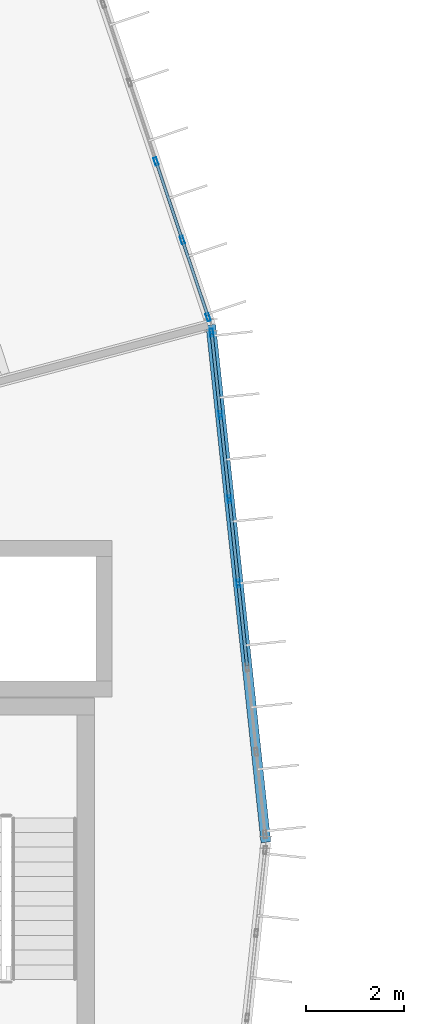
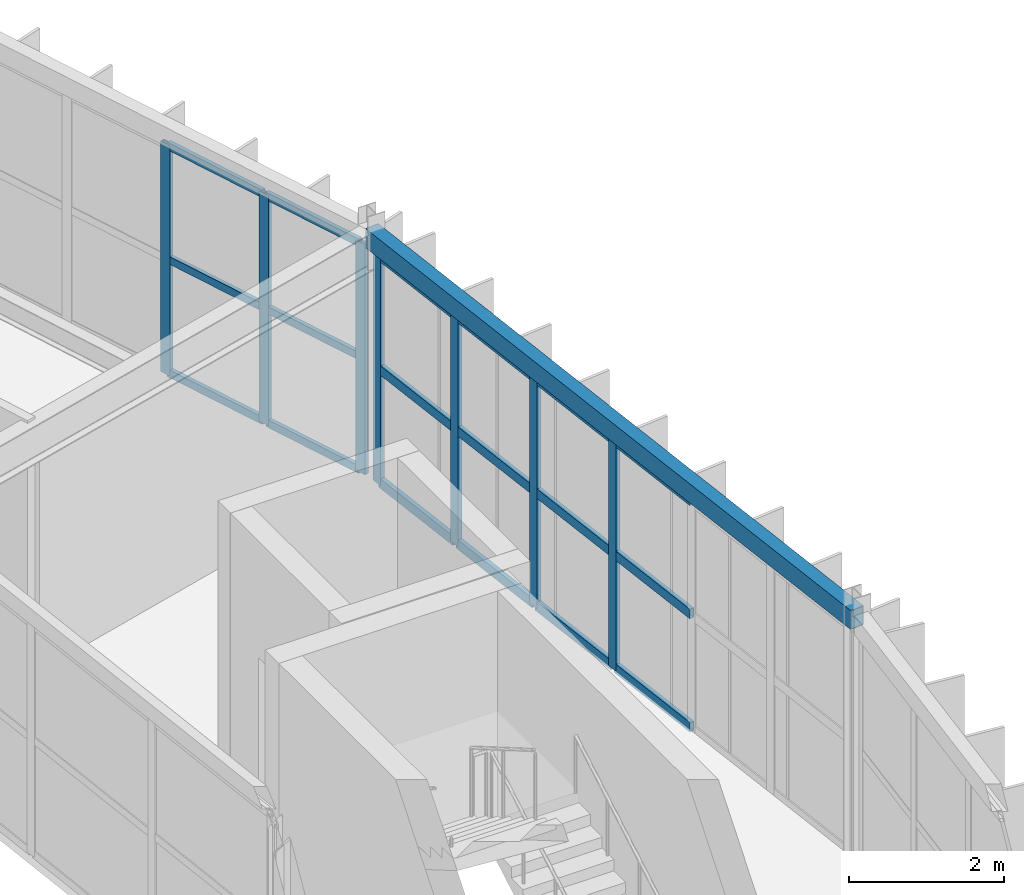
# One storey, part 76 of 157: 25 members, 1 beam, 2 elements without a shape of their own.
"""IFC4 building model written with IfcOpenShell, lengths in metres."""

from ifc_helpers import new_model, si_unit, direction, frame, origin, origin_2d, place, context, subcontext, project, spatial, hollow_rectangle, extrude, material, material_profile, profile_set, type_object, element, aggregate, save


model = new_model("IFC4")

# Units and contexts
model_context = context("Model", 3, precision=1e-05, world=origin(), true_north=direction((0.0, 1.0)))
body_context = subcontext(model_context, "Body", "Model", "MODEL_VIEW")
ifc_project = project(units=[si_unit("LENGTHUNIT", "METRE"), si_unit("AREAUNIT", "SQUARE_METRE"), si_unit("VOLUMEUNIT", "CUBIC_METRE"), si_unit("PLANEANGLEUNIT", "RADIAN"), si_unit("MASSUNIT", "GRAM", prefix="KILO")], contexts=[model_context])

# Site, building, storey
site_placement = place(None, origin())
site = spatial("IfcSite", under=ifc_project, at=site_placement, CompositionType="ELEMENT")
building_placement = place(site_placement, origin())
building = spatial("IfcBuilding", under=site, at=building_placement, Name="Karori Crest Natural Sciences Institute", CompositionType="ELEMENT")
storey_placement = place(building_placement, frame((0.0, 0.0, 13.300048828125)))
storey = spatial("IfcBuildingStorey", under=building, at=storey_placement, Name="L03", CompositionType="ELEMENT", Elevation=13.300048828125)

# Beam
ifc_material_1 = material(Name="Hollow structural steel AS/NZS 1163 Grade C350", Category="steel")
ifc_material_profile_1 = material_profile(ifc_material_1, hollow_rectangle(XDim=0.199951171875, YDim=0.300048828125, WallThickness=0.010009765625, at=origin_2d()), Name="RHS300x200x10")
ifc_profile_set_1 = profile_set([ifc_material_profile_1], Name="Hollow structural steel AS/NZS 1163 Grade C350")
beam_type = type_object("IfcBeamType", Name="BT-15", PredefinedType="SPANDREL", material=ifc_profile_set_1)
beam_placement = place(storey_placement, frame((99.39990234375, 49.89990234375, 3.7900390625), z_axis=(-0.105868278464, 0.994380162521, 0.0), x_axis=(-0.994380162521, -0.105868278464, 0.0)))
element("IfcBeam", 1, at=beam_placement, inside=storey, type_object=beam_type, Name="Beam B-0361", PredefinedType="SPANDREL", context=body_context, shape_type="SweptSolid", body=[
    extrude(hollow_rectangle(XDim=0.199951171875, YDim=0.300048828125, WallThickness=0.010009765625, at=origin_2d()), origin(), (0.0, 0.0, 1.0), 10.619384765625),
])

# Curtain wall, members
ifc_material_2 = material(Name="Anodised architectural aluminium 6063-T6", Category="aluminium")
curtain_wall_type_1 = type_object("IfcCurtainWallType", Name="CWT-01", PredefinedType="NOTDEFINED", material=ifc_material_2)
curtain_wall_1_placement = place(storey_placement, origin())
curtain_wall_1 = element("IfcCurtainWall", 2, at=curtain_wall_1_placement, inside=storey, type_object=curtain_wall_type_1, Name="Curtain wall CW-0100", PredefinedType="NOTDEFINED")
ifc_material_profile_2 = material_profile(ifc_material_2, hollow_rectangle(XDim=0.06494140625, YDim=0.159912109375, WallThickness=0.00390625, at=origin_2d()), Name="CWM160x65x4")
ifc_profile_set_2 = profile_set([ifc_material_profile_2], Name="Anodised architectural aluminium 6063-T6")
member_type_1 = type_object("IfcMemberType", Name="CWM-01", PredefinedType="MULLION", material=ifc_profile_set_2)
member_1_placement = place(storey_placement, frame((98.292236328125, 60.302490234375, 0.0), z_axis=(0.0, 0.0, 1.0), x_axis=(0.994378435661, 0.105884496939, 0.0)))
member_1 = element("IfcMember", 3, at=member_1_placement, type_object=member_type_1, Name="CW-0100 mullion 1", PredefinedType="MULLION", context=body_context, shape_type="SweptSolid", body=[
    extrude(hollow_rectangle(XDim=0.06494140625, YDim=0.159912109375, WallThickness=0.00390625, at=origin_2d()), origin(), (0.0, 0.0, 1.0), 3.625),
])
member_2_placement = place(storey_placement, frame((98.471923828125, 58.616943359375, 0.0), z_axis=(0.0, 0.0, 1.0), x_axis=(0.994378435661, 0.105884496939, 0.0)))
member_2 = element("IfcMember", 4, at=member_2_placement, type_object=member_type_1, Name="CW-0100 mullion 2", PredefinedType="MULLION", context=body_context, shape_type="SweptSolid", body=[
    extrude(hollow_rectangle(XDim=0.06494140625, YDim=0.159912109375, WallThickness=0.00390625, at=origin_2d()), origin(), (0.0, 0.0, 1.0), 3.625),
])
member_3_placement = place(storey_placement, frame((98.65478515625, 56.899169921875, 0.0), z_axis=(0.0, 0.0, 1.0), x_axis=(0.994378435661, 0.105884496939, 0.0)))
member_3 = element("IfcMember", 5, at=member_3_placement, type_object=member_type_1, Name="CW-0100 mullion 3", PredefinedType="MULLION", context=body_context, shape_type="SweptSolid", body=[
    extrude(hollow_rectangle(XDim=0.06494140625, YDim=0.159912109375, WallThickness=0.00390625, at=origin_2d()), origin(), (0.0, 0.0, 1.0), 3.625),
])
member_4_placement = place(storey_placement, frame((98.837646484375, 55.181396484375, 0.0), z_axis=(0.0, 0.0, 1.0), x_axis=(0.994378435661, 0.105884496939, 0.0)))
member_4 = element("IfcMember", 6, at=member_4_placement, type_object=member_type_1, Name="CW-0100 mullion 4", PredefinedType="MULLION", context=body_context, shape_type="SweptSolid", body=[
    extrude(hollow_rectangle(XDim=0.06494140625, YDim=0.159912109375, WallThickness=0.00390625, at=origin_2d()), origin(), (0.0, 0.0, 1.0), 3.625),
])

curtain_wall_type_2 = type_object("IfcCurtainWallType", Name="CWT-02", PredefinedType="NOTDEFINED", material=ifc_material_2)
curtain_wall_2_placement = place(storey_placement, origin())
curtain_wall_2 = element("IfcCurtainWall", 7, at=curtain_wall_2_placement, inside=storey, type_object=curtain_wall_type_2, Name="Curtain wall CW-0102", PredefinedType="NOTDEFINED")
member_5_placement = place(storey_placement, frame((97.157470703125, 63.796875, 0.0), z_axis=(0.0, 0.0, 1.0), x_axis=(0.94819805026, 0.317679803392, 0.0)))
member_5 = element("IfcMember", 8, at=member_5_placement, type_object=member_type_1, Name="CW-0102 mullion 5", PredefinedType="MULLION", context=body_context, shape_type="SweptSolid", body=[
    extrude(hollow_rectangle(XDim=0.06494140625, YDim=0.159912109375, WallThickness=0.00390625, at=origin_2d()), origin(), (0.0, 0.0, 1.0), 3.625),
])
member_6_placement = place(storey_placement, frame((97.695556640625, 62.19091796875, 0.0), z_axis=(0.0, 0.0, 1.0), x_axis=(0.94819805026, 0.317679803392, 0.0)))
member_6 = element("IfcMember", 9, at=member_6_placement, type_object=member_type_1, Name="CW-0102 mullion 6", PredefinedType="MULLION", context=body_context, shape_type="SweptSolid", body=[
    extrude(hollow_rectangle(XDim=0.06494140625, YDim=0.159912109375, WallThickness=0.00390625, at=origin_2d()), origin(), (0.0, 0.0, 1.0), 3.625),
])
member_7_placement = place(storey_placement, frame((98.223388671875, 60.61572265625, 0.0), z_axis=(0.0, 0.0, 1.0), x_axis=(0.94819805026, 0.317679803392, 0.0)))
member_7 = element("IfcMember", 10, at=member_7_placement, type_object=member_type_1, Name="CW-0102 mullion 7", PredefinedType="MULLION", context=body_context, shape_type="SweptSolid", body=[
    extrude(hollow_rectangle(XDim=0.06494140625, YDim=0.159912109375, WallThickness=0.00390625, at=origin_2d()), origin(), (0.0, 0.0, 1.0), 3.625),
])
ifc_material_profile_3 = material_profile(ifc_material_2, hollow_rectangle(XDim=0.06005859375, YDim=0.1201171875, WallThickness=0.00390625, at=origin_2d()), Name="CWT120x60x4")
ifc_profile_set_3 = profile_set([ifc_material_profile_3], Name="Anodised architectural aluminium 6063-T6")
member_type_2 = type_object("IfcMemberType", Name="CWT-TR1", PredefinedType="USERDEFINED", material=ifc_profile_set_3)
member_8_placement = place(storey_placement, frame((97.16796875, 63.76611328125, 0.030029296875), z_axis=(0.317621421426, -0.948217608279, 0.0), x_axis=(0.948217608279, 0.317621421426, 0.0)))
member_8 = element("IfcMember", 11, at=member_8_placement, type_object=member_type_2, Name="CW-0102 transom 5.1", ObjectType="TRANSOM", PredefinedType="USERDEFINED", context=body_context, shape_type="SweptSolid", body=[
    extrude(hollow_rectangle(XDim=0.06005859375, YDim=0.1201171875, WallThickness=0.00390625, at=origin_2d()), origin(), (0.0, 0.0, 1.0), 1.628662109375),
])
member_9_placement = place(storey_placement, frame((97.16796875, 63.76611328125, 1.8125), z_axis=(0.317621421426, -0.948217608279, 0.0), x_axis=(0.948217608279, 0.317621421426, 0.0)))
member_9 = element("IfcMember", 12, at=member_9_placement, type_object=member_type_2, Name="CW-0102 transom 5.2", ObjectType="TRANSOM", PredefinedType="USERDEFINED", context=body_context, shape_type="SweptSolid", body=[
    extrude(hollow_rectangle(XDim=0.06005859375, YDim=0.1201171875, WallThickness=0.00390625, at=origin_2d()), origin(), (0.0, 0.0, 1.0), 1.628662109375),
])
member_10_placement = place(storey_placement, frame((97.16796875, 63.76611328125, 3.594970703125), z_axis=(0.317621421426, -0.948217608279, 0.0), x_axis=(0.948217608279, 0.317621421426, 0.0)))
member_10 = element("IfcMember", 13, at=member_10_placement, type_object=member_type_2, Name="CW-0102 transom 5.3", ObjectType="TRANSOM", PredefinedType="USERDEFINED", context=body_context, shape_type="SweptSolid", body=[
    extrude(hollow_rectangle(XDim=0.06005859375, YDim=0.1201171875, WallThickness=0.00390625, at=origin_2d()), origin(), (0.0, 0.0, 1.0), 1.628662109375),
])
member_11_placement = place(storey_placement, frame((97.7060546875, 62.16015625, 0.030029296875), z_axis=(0.317649722808, -0.948208127786, 0.0), x_axis=(0.948208127786, 0.317649722808, 0.0)))
member_11 = element("IfcMember", 14, at=member_11_placement, type_object=member_type_2, Name="CW-0102 transom 6.1", ObjectType="TRANSOM", PredefinedType="USERDEFINED", context=body_context, shape_type="SweptSolid", body=[
    extrude(hollow_rectangle(XDim=0.06005859375, YDim=0.1201171875, WallThickness=0.00390625, at=origin_2d()), origin(), (0.0, 0.0, 1.0), 1.596435546875),
])
member_12_placement = place(storey_placement, frame((97.7060546875, 62.16015625, 1.8125), z_axis=(0.317649722808, -0.948208127786, 0.0), x_axis=(0.948208127786, 0.317649722808, 0.0)))
member_12 = element("IfcMember", 15, at=member_12_placement, type_object=member_type_2, Name="CW-0102 transom 6.2", ObjectType="TRANSOM", PredefinedType="USERDEFINED", context=body_context, shape_type="SweptSolid", body=[
    extrude(hollow_rectangle(XDim=0.06005859375, YDim=0.1201171875, WallThickness=0.00390625, at=origin_2d()), origin(), (0.0, 0.0, 1.0), 1.596435546875),
])
member_13_placement = place(storey_placement, frame((97.7060546875, 62.16015625, 3.594970703125), z_axis=(0.317649722808, -0.948208127786, 0.0), x_axis=(0.948208127786, 0.317649722808, 0.0)))
member_13 = element("IfcMember", 16, at=member_13_placement, type_object=member_type_2, Name="CW-0102 transom 6.3", ObjectType="TRANSOM", PredefinedType="USERDEFINED", context=body_context, shape_type="SweptSolid", body=[
    extrude(hollow_rectangle(XDim=0.06005859375, YDim=0.1201171875, WallThickness=0.00390625, at=origin_2d()), origin(), (0.0, 0.0, 1.0), 1.596435546875),
])
aggregate(curtain_wall_2, [member_5, member_6, member_7, member_8, member_9, member_10, member_11, member_12, member_13])

# Member
ifc_material_profile_4 = material_profile(ifc_material_2, hollow_rectangle(XDim=0.06494140625, YDim=0.14990234375, WallThickness=0.00390625, at=origin_2d()), Name="CWT150x65x4")
ifc_profile_set_4 = profile_set([ifc_material_profile_4], Name="Anodised architectural aluminium 6063-T6")
member_type_3 = type_object("IfcMemberType", Name="CWT-TR2", PredefinedType="USERDEFINED", material=ifc_profile_set_4)
member_14_placement = place(storey_placement, frame((98.2958984375, 60.270263671875, 0.032470703125), z_axis=(0.105745089448, -0.99439327032, 0.0), x_axis=(0.99439327032, 0.105745089448, 0.0)))
member_14 = element("IfcMember", 17, at=member_14_placement, type_object=member_type_3, Name="CW-0100 transom 1.1", ObjectType="TRANSOM", PredefinedType="USERDEFINED", context=body_context, shape_type="SweptSolid", body=[
    extrude(hollow_rectangle(XDim=0.06494140625, YDim=0.14990234375, WallThickness=0.00390625, at=origin_2d()), origin(), (0.0, 0.0, 1.0), 1.6298828125),
])

member_15_placement = place(storey_placement, frame((98.2958984375, 60.270263671875, 1.8125), z_axis=(0.105745089448, -0.99439327032, 0.0), x_axis=(0.99439327032, 0.105745089448, 0.0)))
member_15 = element("IfcMember", 18, at=member_15_placement, type_object=member_type_3, Name="CW-0100 transom 1.2", ObjectType="TRANSOM", PredefinedType="USERDEFINED", context=body_context, shape_type="SweptSolid", body=[
    extrude(hollow_rectangle(XDim=0.06494140625, YDim=0.14990234375, WallThickness=0.00390625, at=origin_2d()), origin(), (0.0, 0.0, 1.0), 1.6298828125),
])

member_16_placement = place(storey_placement, frame((98.2958984375, 60.270263671875, 3.592529296875), z_axis=(0.105745089448, -0.99439327032, 0.0), x_axis=(0.99439327032, 0.105745089448, 0.0)))
member_16 = element("IfcMember", 19, at=member_16_placement, type_object=member_type_3, Name="CW-0100 transom 1.3", ObjectType="TRANSOM", PredefinedType="USERDEFINED", context=body_context, shape_type="SweptSolid", body=[
    extrude(hollow_rectangle(XDim=0.06494140625, YDim=0.14990234375, WallThickness=0.00390625, at=origin_2d()), origin(), (0.0, 0.0, 1.0), 1.6298828125),
])

member_17_placement = place(storey_placement, frame((98.475341796875, 58.584716796875, 0.032470703125), z_axis=(0.105869463411, -0.994380036363, 0.0), x_axis=(0.994380036363, 0.105869463411, 0.0)))
member_17 = element("IfcMember", 20, at=member_17_placement, type_object=member_type_3, Name="CW-0100 transom 2.1", ObjectType="TRANSOM", PredefinedType="USERDEFINED", context=body_context, shape_type="SweptSolid", body=[
    extrude(hollow_rectangle(XDim=0.06494140625, YDim=0.14990234375, WallThickness=0.00390625, at=origin_2d()), origin(), (0.0, 0.0, 1.0), 1.66259765625),
])

member_18_placement = place(storey_placement, frame((98.475341796875, 58.584716796875, 1.8125), z_axis=(0.105869463411, -0.994380036363, 0.0), x_axis=(0.994380036363, 0.105869463411, 0.0)))
member_18 = element("IfcMember", 21, at=member_18_placement, type_object=member_type_3, Name="CW-0100 transom 2.2", ObjectType="TRANSOM", PredefinedType="USERDEFINED", context=body_context, shape_type="SweptSolid", body=[
    extrude(hollow_rectangle(XDim=0.06494140625, YDim=0.14990234375, WallThickness=0.00390625, at=origin_2d()), origin(), (0.0, 0.0, 1.0), 1.66259765625),
])

member_19_placement = place(storey_placement, frame((98.475341796875, 58.584716796875, 3.592529296875), z_axis=(0.105869463411, -0.994380036363, 0.0), x_axis=(0.994380036363, 0.105869463411, 0.0)))
member_19 = element("IfcMember", 22, at=member_19_placement, type_object=member_type_3, Name="CW-0100 transom 2.3", ObjectType="TRANSOM", PredefinedType="USERDEFINED", context=body_context, shape_type="SweptSolid", body=[
    extrude(hollow_rectangle(XDim=0.06494140625, YDim=0.14990234375, WallThickness=0.00390625, at=origin_2d()), origin(), (0.0, 0.0, 1.0), 1.66259765625),
])

member_20_placement = place(storey_placement, frame((98.658203125, 56.866943359375, 0.032470703125), z_axis=(0.105869463411, -0.994380036363, 0.0), x_axis=(0.994380036363, 0.105869463411, 0.0)))
member_20 = element("IfcMember", 23, at=member_20_placement, type_object=member_type_3, Name="CW-0100 transom 3.1", ObjectType="TRANSOM", PredefinedType="USERDEFINED", context=body_context, shape_type="SweptSolid", body=[
    extrude(hollow_rectangle(XDim=0.06494140625, YDim=0.14990234375, WallThickness=0.00390625, at=origin_2d()), origin(), (0.0, 0.0, 1.0), 1.66259765625),
])

member_21_placement = place(storey_placement, frame((98.658203125, 56.866943359375, 1.8125), z_axis=(0.105869463411, -0.994380036363, 0.0), x_axis=(0.994380036363, 0.105869463411, 0.0)))
member_21 = element("IfcMember", 24, at=member_21_placement, type_object=member_type_3, Name="CW-0100 transom 3.2", ObjectType="TRANSOM", PredefinedType="USERDEFINED", context=body_context, shape_type="SweptSolid", body=[
    extrude(hollow_rectangle(XDim=0.06494140625, YDim=0.14990234375, WallThickness=0.00390625, at=origin_2d()), origin(), (0.0, 0.0, 1.0), 1.66259765625),
])

member_22_placement = place(storey_placement, frame((98.658203125, 56.866943359375, 3.592529296875), z_axis=(0.105869463411, -0.994380036363, 0.0), x_axis=(0.994380036363, 0.105869463411, 0.0)))
member_22 = element("IfcMember", 25, at=member_22_placement, type_object=member_type_3, Name="CW-0100 transom 3.3", ObjectType="TRANSOM", PredefinedType="USERDEFINED", context=body_context, shape_type="SweptSolid", body=[
    extrude(hollow_rectangle(XDim=0.06494140625, YDim=0.14990234375, WallThickness=0.00390625, at=origin_2d()), origin(), (0.0, 0.0, 1.0), 1.66259765625),
])

member_23_placement = place(storey_placement, frame((98.841064453125, 55.149169921875, 0.032470703125), z_axis=(0.105869463411, -0.994380036363, 0.0), x_axis=(0.994380036363, 0.105869463411, 0.0)))
member_23 = element("IfcMember", 26, at=member_23_placement, type_object=member_type_3, Name="CW-0100 transom 4.1", ObjectType="TRANSOM", PredefinedType="USERDEFINED", context=body_context, shape_type="SweptSolid", body=[
    extrude(hollow_rectangle(XDim=0.06494140625, YDim=0.14990234375, WallThickness=0.00390625, at=origin_2d()), origin(), (0.0, 0.0, 1.0), 1.66259765625),
])

member_24_placement = place(storey_placement, frame((98.841064453125, 55.149169921875, 1.8125), z_axis=(0.105869463411, -0.994380036363, 0.0), x_axis=(0.994380036363, 0.105869463411, 0.0)))
member_24 = element("IfcMember", 27, at=member_24_placement, type_object=member_type_3, Name="CW-0100 transom 4.2", ObjectType="TRANSOM", PredefinedType="USERDEFINED", context=body_context, shape_type="SweptSolid", body=[
    extrude(hollow_rectangle(XDim=0.06494140625, YDim=0.14990234375, WallThickness=0.00390625, at=origin_2d()), origin(), (0.0, 0.0, 1.0), 1.66259765625),
])

member_25_placement = place(storey_placement, frame((98.841064453125, 55.149169921875, 3.592529296875), z_axis=(0.105869463411, -0.994380036363, 0.0), x_axis=(0.994380036363, 0.105869463411, 0.0)))
member_25 = element("IfcMember", 28, at=member_25_placement, type_object=member_type_3, Name="CW-0100 transom 4.3", ObjectType="TRANSOM", PredefinedType="USERDEFINED", context=body_context, shape_type="SweptSolid", body=[
    extrude(hollow_rectangle(XDim=0.06494140625, YDim=0.14990234375, WallThickness=0.00390625, at=origin_2d()), origin(), (0.0, 0.0, 1.0), 1.66259765625),
])

aggregate(curtain_wall_1, [member_1, member_2, member_3, member_4, member_14, member_15, member_16, member_17, member_18, member_19, member_20, member_21, member_22, member_23, member_24, member_25])

save(model, "model.ifc")
